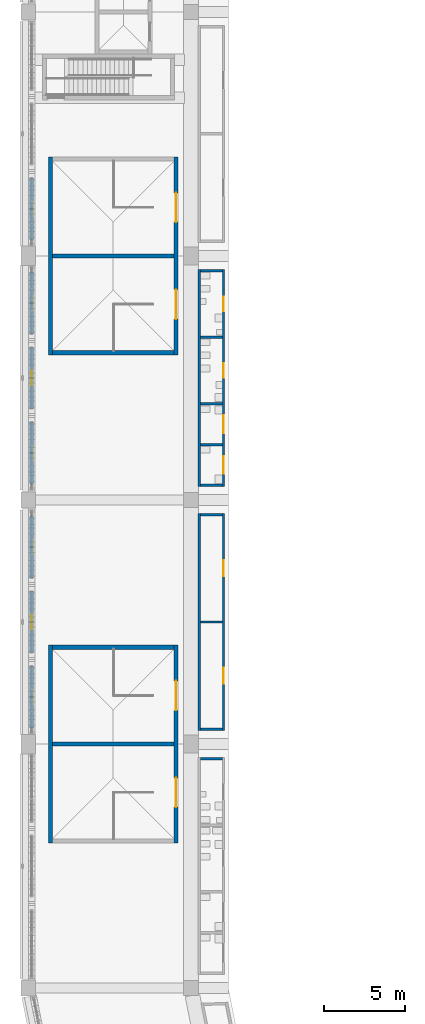
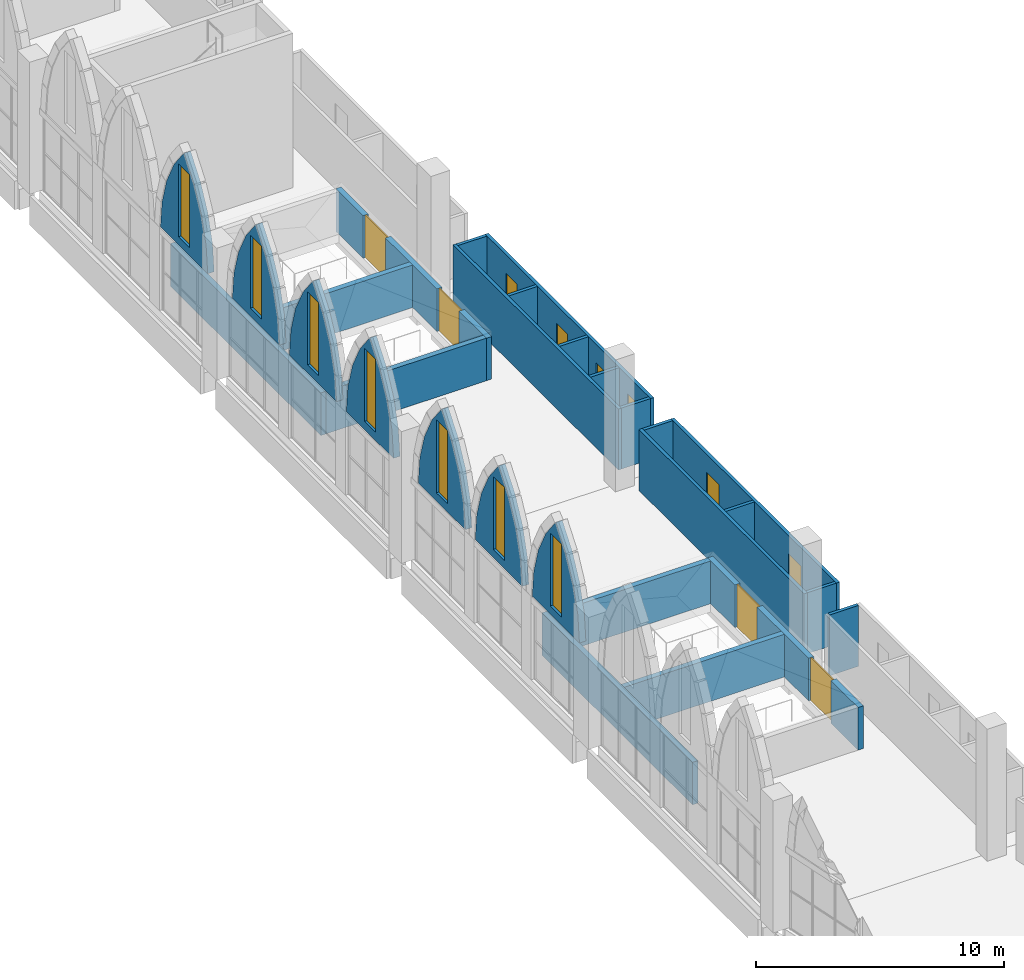
# One storey, part 70 of 130: 28 walls, 10 doors, 7 windows, 17 openings.
"""IFC4 building model written with IfcOpenShell, lengths in metres."""

from ifc_helpers import new_model, si_unit, direction, frame, frame_2d, origin, place, context, subcontext, project, spatial, polyline, rectangle, outline, extrude, material, layer, layer_set, type_object, element, fill, save


model = new_model("IFC4")

# Units and contexts
model_context = context("Model", 3, precision=1e-05, world=origin(), true_north=direction((0.0, 1.0)))
body_context = subcontext(model_context, "Body", "Model", "MODEL_VIEW")
ifc_project = project(units=[si_unit("LENGTHUNIT", "METRE"), si_unit("AREAUNIT", "SQUARE_METRE"), si_unit("VOLUMEUNIT", "CUBIC_METRE"), si_unit("PLANEANGLEUNIT", "RADIAN"), si_unit("MASSUNIT", "GRAM", prefix="KILO")], contexts=[model_context])

# Site, building, storey
site_placement = place(None, origin())
site = spatial("IfcSite", under=ifc_project, at=site_placement, CompositionType="ELEMENT")
building_placement = place(site_placement, origin())
building = spatial("IfcBuilding", under=site, at=building_placement, Name="Ogive Plaza Stadium", CompositionType="ELEMENT")
storey_placement = place(building_placement, frame((0.0, 0.0, 22.5)))
storey = spatial("IfcBuildingStorey", under=building, at=storey_placement, Name="L05", CompositionType="ELEMENT", Elevation=22.5)

# Wall, openings, doors
ifc_material_1 = material(Name="Masonry blockwork", Category="masonry")
ifc_layer_1 = layer(ifc_material_1, 0.14990234375)
ifc_layer_set_1 = layer_set([ifc_layer_1], Name="Blockwork wall 150")
wall_type_1 = type_object("IfcWallType", Name="Blockwork wall 150", PredefinedType="SOLIDWALL", material=ifc_layer_set_1)
wall_1_placement = place(storey_placement, frame((-72.0, -36.675048828125, 0.0), z_axis=(0.0, 0.0, 1.0), x_axis=(0.0, 1.0, 0.0)))
wall_1 = element("IfcWall", 1, at=wall_1_placement, inside=storey, type_object=wall_type_1, Name="Wall L05 B22", PredefinedType="SOLIDWALL", context=body_context, shape_type="SweptSolid", body=[
    extrude(rectangle(XDim=13.35009765625, YDim=0.14990234375, at=frame_2d((6.675048828125, 0.0))), origin(), (0.0, 0.0, 1.0), 3.0),
])
opening_1_placement = place(wall_1_placement, frame((2.875, 0.0, 0.0)))
opening_1 = element("IfcOpeningElement", 2, at=opening_1_placement, cuts=wall_1, Name="Opening D0981", PredefinedType="OPENING", context=body_context, shape_type="SweptSolid", body=[
    extrude(rectangle(XDim=1.0, YDim=2.10009765625, at=frame_2d((0.5, 1.050048828125))), frame((0.0, 0.074951171875, 0.0), z_axis=(0.0, -1.0, 0.0), x_axis=(1.0, 0.0, 0.0)), (0.0, 0.0, 1.0), 0.14990234375),
])
opening_2_placement = place(wall_1_placement, frame((9.47509765625, 0.0, 0.0)))
opening_2 = element("IfcOpeningElement", 3, at=opening_2_placement, cuts=wall_1, Name="Opening D0982", PredefinedType="OPENING", context=body_context, shape_type="SweptSolid", body=[
    extrude(rectangle(XDim=1.0, YDim=2.10009765625, at=frame_2d((0.5, 1.050048828125))), frame((0.0, 0.074951171875, 0.0), z_axis=(0.0, -1.0, 0.0), x_axis=(1.0, 0.0, 0.0)), (0.0, 0.0, 1.0), 0.14990234375),
])
ifc_material_2 = material(Name="Steel ASTM A572 Grade 50", Category="steel")
door_type_1 = type_object("IfcDoorType", Name="Door 1000 x 2100", OperationType="SINGLE_SWING_LEFT", PredefinedType="DOOR", material=ifc_material_2)
door_1_placement = place(opening_1_placement, origin())
door_1 = element("IfcDoor", 4, at=door_1_placement, inside=storey, type_object=door_type_1, Name="Concession Stand B22 door", OperationType="SINGLE_SWING_LEFT", OverallHeight=2.10009765625, OverallWidth=1.0, PredefinedType="DOOR", context=body_context, shape_type="SweptSolid", body=[
    extrude(rectangle(XDim=1.0, YDim=2.10009765625, at=frame_2d((0.5, 1.050048828125))), frame((0.0, 0.02490234375, 0.0), z_axis=(0.0, -1.0, 0.0), x_axis=(1.0, 0.0, 0.0)), (0.0, 0.0, 1.0), 0.050048828125),
])
fill(opening_1, door_1)
door_2_placement = place(opening_2_placement, origin())
door_2 = element("IfcDoor", 5, at=door_2_placement, inside=storey, type_object=door_type_1, Name="Concession Stand B22 door", OperationType="SINGLE_SWING_RIGHT", OverallHeight=2.10009765625, OverallWidth=1.0, PredefinedType="DOOR", context=body_context, shape_type="SweptSolid", body=[
    extrude(rectangle(XDim=1.0, YDim=2.10009765625, at=frame_2d((0.5, 1.050048828125))), frame((0.0, 0.02490234375, 0.0), z_axis=(0.0, -1.0, 0.0), x_axis=(1.0, 0.0, 0.0)), (0.0, 0.0, 1.0), 0.050048828125),
])
fill(opening_2, door_2)

# Walls
wall_2_placement = place(storey_placement, frame((-73.5, -36.675048828125, 0.0), z_axis=(0.0, 0.0, 1.0), x_axis=(0.0, 1.0, 0.0)))
element("IfcWall", 6, at=wall_2_placement, inside=storey, type_object=wall_type_1, Name="Wall L05 B22", PredefinedType="SOLIDWALL", context=body_context, shape_type="SweptSolid", body=[
    extrude(rectangle(XDim=13.35009765625, YDim=0.14990234375, at=frame_2d((6.675048828125, 0.0))), origin(), (0.0, 0.0, 1.0), 3.0),
])
for number, where, z_axis, x_axis, name in (
    (7, (-72.074951171875, -36.60009765625, 0.0), (0.0, 0.0, 1.0), (-1.0, 0.0, 0.0), "Wall L05 B22"),
    (8, (-72.074951171875, -30.0, 0.0), (0.0, 0.0, 1.0), (-1.0, 0.0, 0.0), "Wall L05 B22"),
    (9, (-72.074951171875, -23.39990234375, 0.0), (0.0, 0.0, 1.0), (-1.0, 0.0, 0.0), "Wall L05 B22"),
):
    element("IfcWall", number, at=place(storey_placement, frame(where, z_axis=z_axis, x_axis=x_axis)), inside=storey, type_object=wall_type_1, Name=name, PredefinedType="SOLIDWALL", context=body_context, shape_type="SweptSolid", body=[
        extrude(rectangle(XDim=1.35009765625, YDim=0.14990234375, at=frame_2d((0.675048828125, 0.0))), origin(), (0.0, 0.0, 1.0), 3.0),
    ])

# Wall, openings, doors
ifc_material_3 = material(Name="Concrete C40/50", Category="concrete")
ifc_layer_2 = layer(ifc_material_3, 0.25)
ifc_layer_set_2 = layer_set([ifc_layer_2], Name="Concrete C40/50")
wall_type_2 = type_object("IfcWallType", Name="Core wall 250", PredefinedType="SHEAR", material=ifc_layer_set_2)
wall_3_placement = place(storey_placement, frame((-74.925048828125, -31.425048828125, 0.0), z_axis=(0.0, 0.0, 1.0), x_axis=(0.0, -1.0, 0.0)))
wall_3 = element("IfcWall", 10, at=wall_3_placement, inside=storey, type_object=wall_type_2, Name="Stair core R22 inner wall", PredefinedType="SHEAR", context=body_context, shape_type="SweptSolid", body=[
    extrude(rectangle(XDim=12.14990234375, YDim=0.25, at=frame_2d((6.074951171875, 0.0))), origin(), (0.0, 0.0, 1.0), 2.10009765625),
])
opening_3_placement = place(wall_3_placement, frame((2.199951171875, 0.0, 0.0)))
opening_3 = element("IfcOpeningElement", 11, at=opening_3_placement, cuts=wall_3, Name="Opening D0181", PredefinedType="OPENING", context=body_context, shape_type="SweptSolid", body=[
    extrude(rectangle(XDim=1.800048828125, YDim=2.10009765625, at=frame_2d((0.89990234375, 1.050048828125))), frame((0.0, 0.125, 0.0), z_axis=(0.0, -1.0, 0.0), x_axis=(1.0, 0.0, 0.0)), (0.0, 0.0, 1.0), 0.25),
])
opening_4_placement = place(wall_3_placement, frame((8.14990234375, 0.0, 0.0)))
opening_4 = element("IfcOpeningElement", 12, at=opening_4_placement, cuts=wall_3, Name="Opening D0182", PredefinedType="OPENING", context=body_context, shape_type="SweptSolid", body=[
    extrude(rectangle(XDim=1.800048828125, YDim=2.10009765625, at=frame_2d((0.89990234375, 1.050048828125))), frame((0.0, 0.125, 0.0), z_axis=(0.0, -1.0, 0.0), x_axis=(1.0, 0.0, 0.0)), (0.0, 0.0, 1.0), 0.25),
])
ifc_material_4 = material(Name="Steel ASTM A572 Grade 50", Category="steel")
door_type_2 = type_object("IfcDoorType", Name="Fire door FD90 pair 1800 x 2100", OperationType="DOUBLE_DOOR_SINGLE_SWING", PredefinedType="DOOR", material=ifc_material_4)
door_3_placement = place(opening_3_placement, origin())
door_3 = element("IfcDoor", 13, at=door_3_placement, inside=storey, type_object=door_type_2, Name="Exit stair R22A door L05", OperationType="DOUBLE_DOOR_SINGLE_SWING", OverallHeight=2.10009765625, OverallWidth=1.800048828125, PredefinedType="DOOR", context=body_context, shape_type="SweptSolid", body=[
    extrude(rectangle(XDim=1.800048828125, YDim=2.10009765625, at=frame_2d((0.89990234375, 1.050048828125))), frame((0.0, 0.02490234375, 0.0), z_axis=(0.0, -1.0, 0.0), x_axis=(1.0, 0.0, 0.0)), (0.0, 0.0, 1.0), 0.050048828125),
])
fill(opening_3, door_3)
door_4_placement = place(opening_4_placement, origin())
door_4 = element("IfcDoor", 14, at=door_4_placement, inside=storey, type_object=door_type_2, Name="Exit stair R22B door L05", OperationType="DOUBLE_DOOR_SINGLE_SWING", OverallHeight=2.10009765625, OverallWidth=1.800048828125, PredefinedType="DOOR", context=body_context, shape_type="SweptSolid", body=[
    extrude(rectangle(XDim=1.800048828125, YDim=2.10009765625, at=frame_2d((0.89990234375, 1.050048828125))), frame((0.0, 0.02490234375, 0.0), z_axis=(0.0, -1.0, 0.0), x_axis=(1.0, 0.0, 0.0)), (0.0, 0.0, 1.0), 0.050048828125),
])
fill(opening_4, door_4)

# Walls
wall_4_placement = place(storey_placement, frame((-82.635009765625, -31.425048828125, 0.0), z_axis=(0.0, 0.0, 1.0), x_axis=(0.0, -1.0, 0.0)))
element("IfcWall", 15, at=wall_4_placement, inside=storey, type_object=wall_type_2, Name="Stair core R22 outer wall", PredefinedType="SHEAR", context=body_context, shape_type="SweptSolid", body=[
    extrude(rectangle(XDim=12.14990234375, YDim=0.25, at=frame_2d((6.074951171875, 0.0))), origin(), (0.0, 0.0, 1.0), 2.10009765625),
])
for number, where, z_axis, x_axis, name in (
    (16, (-75.050048828125, -31.550048828125, 0.0), (0.0, 0.0, 1.0), (-1.0, 0.0, 0.0), "Stair core R22 side wall"),
    (17, (-75.050048828125, -37.5, 0.0), (0.0, 0.0, 1.0), (-1.0, 0.0, 0.0), "Stair core R22 centre wall"),
):
    element("IfcWall", number, at=place(storey_placement, frame(where, z_axis=z_axis, x_axis=x_axis)), inside=storey, type_object=wall_type_2, Name=name, PredefinedType="SHEAR", context=body_context, shape_type="SweptSolid", body=[
        extrude(rectangle(XDim=7.4599609375, YDim=0.25, at=frame_2d((3.72998046875, 0.0))), origin(), (0.0, 0.0, 1.0), 2.10009765625),
    ])

# Wall, openings, doors
wall_5_placement = place(storey_placement, frame((-74.925048828125, -1.425048828125, 0.0), z_axis=(0.0, 0.0, 1.0), x_axis=(0.0, -1.0, 0.0)))
wall_5 = element("IfcWall", 18, at=wall_5_placement, inside=storey, type_object=wall_type_2, Name="Stair core R24 inner wall", PredefinedType="SHEAR", context=body_context, shape_type="SweptSolid", body=[
    extrude(rectangle(XDim=12.14990234375, YDim=0.25, at=frame_2d((6.074951171875, 0.0))), origin(), (0.0, 0.0, 1.0), 2.10009765625),
])
opening_5_placement = place(wall_5_placement, frame((2.199951171875, 0.0, 0.0)))
opening_5 = element("IfcOpeningElement", 19, at=opening_5_placement, cuts=wall_5, Name="Opening D0193", PredefinedType="OPENING", context=body_context, shape_type="SweptSolid", body=[
    extrude(rectangle(XDim=1.800048828125, YDim=2.10009765625, at=frame_2d((0.89990234375, 1.050048828125))), frame((0.0, 0.125, 0.0), z_axis=(0.0, -1.0, 0.0), x_axis=(1.0, 0.0, 0.0)), (0.0, 0.0, 1.0), 0.25),
])
opening_6_placement = place(wall_5_placement, frame((8.14990234375, 0.0, 0.0)))
opening_6 = element("IfcOpeningElement", 20, at=opening_6_placement, cuts=wall_5, Name="Opening D0194", PredefinedType="OPENING", context=body_context, shape_type="SweptSolid", body=[
    extrude(rectangle(XDim=1.800048828125, YDim=2.10009765625, at=frame_2d((0.89990234375, 1.050048828125))), frame((0.0, 0.125, 0.0), z_axis=(0.0, -1.0, 0.0), x_axis=(1.0, 0.0, 0.0)), (0.0, 0.0, 1.0), 0.25),
])
door_5_placement = place(opening_5_placement, origin())
door_5 = element("IfcDoor", 21, at=door_5_placement, inside=storey, type_object=door_type_2, Name="Exit stair R24A door L05", OperationType="DOUBLE_DOOR_SINGLE_SWING", OverallHeight=2.10009765625, OverallWidth=1.800048828125, PredefinedType="DOOR", context=body_context, shape_type="SweptSolid", body=[
    extrude(rectangle(XDim=1.800048828125, YDim=2.10009765625, at=frame_2d((0.89990234375, 1.050048828125))), frame((0.0, 0.02490234375, 0.0), z_axis=(0.0, -1.0, 0.0), x_axis=(1.0, 0.0, 0.0)), (0.0, 0.0, 1.0), 0.050048828125),
])
fill(opening_5, door_5)
door_6_placement = place(opening_6_placement, origin())
door_6 = element("IfcDoor", 22, at=door_6_placement, inside=storey, type_object=door_type_2, Name="Exit stair R24B door L05", OperationType="DOUBLE_DOOR_SINGLE_SWING", OverallHeight=2.10009765625, OverallWidth=1.800048828125, PredefinedType="DOOR", context=body_context, shape_type="SweptSolid", body=[
    extrude(rectangle(XDim=1.800048828125, YDim=2.10009765625, at=frame_2d((0.89990234375, 1.050048828125))), frame((0.0, 0.02490234375, 0.0), z_axis=(0.0, -1.0, 0.0), x_axis=(1.0, 0.0, 0.0)), (0.0, 0.0, 1.0), 0.050048828125),
])
fill(opening_6, door_6)

# Walls
wall_6_placement = place(storey_placement, frame((-82.635009765625, -1.425048828125, 0.0), z_axis=(0.0, 0.0, 1.0), x_axis=(0.0, -1.0, 0.0)))
element("IfcWall", 23, at=wall_6_placement, inside=storey, type_object=wall_type_2, Name="Stair core R24 outer wall", PredefinedType="SHEAR", context=body_context, shape_type="SweptSolid", body=[
    extrude(rectangle(XDim=12.14990234375, YDim=0.25, at=frame_2d((6.074951171875, 0.0))), origin(), (0.0, 0.0, 1.0), 2.10009765625),
])
for number, where, z_axis, x_axis, name in (
    (24, (-75.050048828125, -13.449951171875, 0.0), (0.0, 0.0, 1.0), (-1.0, 0.0, 0.0), "Stair core R24 side wall"),
    (25, (-75.050048828125, -7.5, 0.0), (0.0, 0.0, 1.0), (-1.0, 0.0, 0.0), "Stair core R24 centre wall"),
):
    element("IfcWall", number, at=place(storey_placement, frame(where, z_axis=z_axis, x_axis=x_axis)), inside=storey, type_object=wall_type_2, Name=name, PredefinedType="SHEAR", context=body_context, shape_type="SweptSolid", body=[
        extrude(rectangle(XDim=7.4599609375, YDim=0.25, at=frame_2d((3.72998046875, 0.0))), origin(), (0.0, 0.0, 1.0), 2.10009765625),
    ])
ifc_material_5 = material(Name="Gypsum board partition", Category="gypsum")
ifc_layer_3 = layer(ifc_material_5, 0.14990234375)
ifc_layer_set_3 = layer_set([ifc_layer_3], Name="Partition 150")
wall_type_3 = type_object("IfcWallType", Name="Partition 150", PredefinedType="PARTITIONING", material=ifc_layer_set_3)
wall_7_placement = place(storey_placement, frame((-72.074951171875, -38.39990234375, 0.0), z_axis=(0.0, 0.0, 1.0), x_axis=(-1.0, 0.0, 0.0)))
element("IfcWall", 26, at=wall_7_placement, inside=storey, type_object=wall_type_3, Name="Wall L05 B21", PredefinedType="PARTITIONING", context=body_context, shape_type="SweptSolid", body=[
    extrude(rectangle(XDim=1.35009765625, YDim=0.14990234375, at=frame_2d((0.675048828125, 0.0))), origin(), (0.0, 0.0, 1.0), 3.0),
])

# Wall, openings, doors
wall_8_placement = place(storey_placement, frame((-72.0, -8.324951171875, 0.0), z_axis=(0.0, 0.0, 1.0), x_axis=(0.0, -1.0, 0.0)))
wall_8 = element("IfcWall", 27, at=wall_8_placement, inside=storey, type_object=wall_type_3, Name="Wall L05 B23", PredefinedType="PARTITIONING", context=body_context, shape_type="SweptSolid", body=[
    extrude(rectangle(XDim=13.35009765625, YDim=0.14990234375, at=frame_2d((6.675048828125, 0.0))), origin(), (0.0, 0.0, 1.0), 3.0),
])
opening_7_placement = place(wall_8_placement, frame((1.6708984375, 0.0, 0.0)))
opening_7 = element("IfcOpeningElement", 28, at=opening_7_placement, cuts=wall_8, Name="Opening D0983", PredefinedType="OPENING", context=body_context, shape_type="SweptSolid", body=[
    extrude(rectangle(XDim=0.89990234375, YDim=2.10009765625, at=frame_2d((0.449951171875, 1.050048828125))), frame((0.0, 0.074951171875, 0.0), z_axis=(0.0, -1.0, 0.0), x_axis=(1.0, 0.0, 0.0)), (0.0, 0.0, 1.0), 0.14990234375),
])
opening_8_placement = place(wall_8_placement, frame((5.762939453125, 0.0, 0.0)))
opening_8 = element("IfcOpeningElement", 29, at=opening_8_placement, cuts=wall_8, Name="Opening D0984", PredefinedType="OPENING", context=body_context, shape_type="SweptSolid", body=[
    extrude(rectangle(XDim=0.89990234375, YDim=2.10009765625, at=frame_2d((0.449951171875, 1.050048828125))), frame((0.0, 0.074951171875, 0.0), z_axis=(0.0, -1.0, 0.0), x_axis=(1.0, 0.0, 0.0)), (0.0, 0.0, 1.0), 0.14990234375),
])
opening_9_placement = place(wall_8_placement, frame((8.962890625, 0.0, 0.0)))
opening_9 = element("IfcOpeningElement", 30, at=opening_9_placement, cuts=wall_8, Name="Opening D0985", PredefinedType="OPENING", context=body_context, shape_type="SweptSolid", body=[
    extrude(rectangle(XDim=1.10009765625, YDim=2.10009765625, at=frame_2d((0.550048828125, 1.050048828125))), frame((0.0, 0.074951171875, 0.0), z_axis=(0.0, -1.0, 0.0), x_axis=(1.0, 0.0, 0.0)), (0.0, 0.0, 1.0), 0.14990234375),
])
opening_10_placement = place(wall_8_placement, frame((11.470947265625, 0.0, 0.0)))
opening_10 = element("IfcOpeningElement", 31, at=opening_10_placement, cuts=wall_8, Name="Opening D0986", PredefinedType="OPENING", context=body_context, shape_type="SweptSolid", body=[
    extrude(rectangle(XDim=1.10009765625, YDim=2.10009765625, at=frame_2d((0.550048828125, 1.050048828125))), frame((0.0, 0.074951171875, 0.0), z_axis=(0.0, -1.0, 0.0), x_axis=(1.0, 0.0, 0.0)), (0.0, 0.0, 1.0), 0.14990234375),
])
ifc_material_6 = material(Name="Steel ASTM A572 Grade 50", Category="steel")
door_type_3 = type_object("IfcDoorType", Name="Accessible door 1100 x 2100", OperationType="SINGLE_SWING_LEFT", PredefinedType="DOOR", material=ifc_material_6)
door_7_placement = place(opening_9_placement, origin())
door_7 = element("IfcDoor", 32, at=door_7_placement, inside=storey, type_object=door_type_3, Name="Accessible WC B23 door", OperationType="SINGLE_SWING_RIGHT", OverallHeight=2.10009765625, OverallWidth=1.10009765625, PredefinedType="DOOR", context=body_context, shape_type="SweptSolid", body=[
    extrude(rectangle(XDim=1.10009765625, YDim=2.10009765625, at=frame_2d((0.550048828125, 1.050048828125))), frame((0.0, 0.02490234375, 0.0), z_axis=(0.0, -1.0, 0.0), x_axis=(1.0, 0.0, 0.0)), (0.0, 0.0, 1.0), 0.050048828125),
])
fill(opening_9, door_7)
door_8_placement = place(opening_10_placement, origin())
door_8 = element("IfcDoor", 33, at=door_8_placement, inside=storey, type_object=door_type_3, Name="Family WC B23 door", OperationType="SINGLE_SWING_LEFT", OverallHeight=2.10009765625, OverallWidth=1.10009765625, PredefinedType="DOOR", context=body_context, shape_type="SweptSolid", body=[
    extrude(rectangle(XDim=1.10009765625, YDim=2.10009765625, at=frame_2d((0.550048828125, 1.050048828125))), frame((0.0, 0.02490234375, 0.0), z_axis=(0.0, -1.0, 0.0), x_axis=(1.0, 0.0, 0.0)), (0.0, 0.0, 1.0), 0.050048828125),
])
fill(opening_10, door_8)
ifc_material_7 = material(Name="Steel ASTM A572 Grade 50", Category="steel")
door_type_4 = type_object("IfcDoorType", Name="Door 900 x 2100", OperationType="SINGLE_SWING_LEFT", PredefinedType="DOOR", material=ifc_material_7)
door_9_placement = place(opening_7_placement, origin())
door_9 = element("IfcDoor", 34, at=door_9_placement, inside=storey, type_object=door_type_4, Name="Men's Toilet B23 door", OperationType="SINGLE_SWING_RIGHT", OverallHeight=2.10009765625, OverallWidth=0.89990234375, PredefinedType="DOOR", context=body_context, shape_type="SweptSolid", body=[
    extrude(rectangle(XDim=0.89990234375, YDim=2.10009765625, at=frame_2d((0.449951171875, 1.050048828125))), frame((0.0, 0.02490234375, 0.0), z_axis=(0.0, -1.0, 0.0), x_axis=(1.0, 0.0, 0.0)), (0.0, 0.0, 1.0), 0.050048828125),
])
fill(opening_7, door_9)
door_10_placement = place(opening_8_placement, origin())
door_10 = element("IfcDoor", 35, at=door_10_placement, inside=storey, type_object=door_type_4, Name="Women's Toilet B23 door", OperationType="SINGLE_SWING_LEFT", OverallHeight=2.10009765625, OverallWidth=0.89990234375, PredefinedType="DOOR", context=body_context, shape_type="SweptSolid", body=[
    extrude(rectangle(XDim=0.89990234375, YDim=2.10009765625, at=frame_2d((0.449951171875, 1.050048828125))), frame((0.0, 0.02490234375, 0.0), z_axis=(0.0, -1.0, 0.0), x_axis=(1.0, 0.0, 0.0)), (0.0, 0.0, 1.0), 0.050048828125),
])
fill(opening_8, door_10)

# Walls
wall_9_placement = place(storey_placement, frame((-73.5, -8.324951171875, 0.0), z_axis=(0.0, 0.0, 1.0), x_axis=(0.0, -1.0, 0.0)))
element("IfcWall", 36, at=wall_9_placement, inside=storey, type_object=wall_type_3, Name="Wall L05 B23", PredefinedType="PARTITIONING", context=body_context, shape_type="SweptSolid", body=[
    extrude(rectangle(XDim=13.35009765625, YDim=0.14990234375, at=frame_2d((6.675048828125, 0.0))), origin(), (0.0, 0.0, 1.0), 3.0),
])
for number, where, z_axis, x_axis, name in (
    (37, (-72.074951171875, -8.39990234375, 0.0), (0.0, 0.0, 1.0), (-1.0, 0.0, 0.0), "Wall L05 B23"),
    (38, (-72.074951171875, -12.491943359375, 0.0), (0.0, 0.0, 1.0), (-1.0, 0.0, 0.0), "Wall L05 B23"),
    (39, (-72.074951171875, -16.583984375, 0.0), (0.0, 0.0, 1.0), (-1.0, 0.0, 0.0), "Wall L05 B23"),
    (40, (-72.074951171875, -19.092041015625, 0.0), (0.0, 0.0, 1.0), (-1.0, 0.0, 0.0), "Wall L05 B23"),
    (41, (-72.074951171875, -21.60009765625, 0.0), (0.0, 0.0, 1.0), (-1.0, 0.0, 0.0), "Wall L05 B23"),
):
    element("IfcWall", number, at=place(storey_placement, frame(where, z_axis=z_axis, x_axis=x_axis)), inside=storey, type_object=wall_type_3, Name=name, PredefinedType="PARTITIONING", context=body_context, shape_type="SweptSolid", body=[
        extrude(rectangle(XDim=1.35009765625, YDim=0.14990234375, at=frame_2d((0.675048828125, 0.0))), origin(), (0.0, 0.0, 1.0), 3.0),
    ])

# Wall, opening, window
ifc_material_8 = material(Name="Concrete C45/55 precast", Category="concrete")
ifc_layer_4 = layer(ifc_material_8, 0.25)
ifc_material_9 = material(Name="Cast stone (reconstituted limestone)", Category="masonry")
ifc_layer_5 = layer(ifc_material_9, 0.050048828125)
ifc_layer_set_4 = layer_set([ifc_layer_4, ifc_layer_5], Name="Concrete C45/55 precast, cast stone facing")
wall_type_4 = type_object("IfcWallType", Name="Tympanum wall 300", PredefinedType="SOLIDWALL", material=ifc_layer_set_4)
wall_10_placement = place(storey_placement, frame((-83.800048828125, -36.5, 4.10009765625), z_axis=(0.0, 0.0, 1.0), x_axis=(0.0, 1.0, 0.0)))
wall_10 = element("IfcWall", 42, at=wall_10_placement, inside=storey, type_object=wall_type_4, Name="TYMPANUM B22 1", PredefinedType="SOLIDWALL", context=body_context, shape_type="SweptSolid", body=[
    extrude(outline(polyline([(0.0, 0.0), (3.800048828125, 0.0), (3.800048828125, 0.0498046875), (3.67578125, 1.313720703125), (3.3076171875, 2.5810546875), (2.708740234375, 3.757080078125), (1.89990234375, 4.7998046875), (1.09130859375, 3.757080078125), (0.4921875, 2.5810546875), (0.124267578125, 1.313720703125), (0.0, 0.0498046875), (0.0, 0.0)])), frame((0.0, 0.14990234375, 0.0), z_axis=(0.0, -1.0, 0.0), x_axis=(1.0, 0.0, 0.0)), (0.0, 0.0, 1.0), 0.300048828125),
])
opening_11_placement = place(wall_10_placement, frame((1.449951171875, 0.0, 0.39990234375)))
opening_11 = element("IfcOpeningElement", 43, at=opening_11_placement, cuts=wall_10, Name="Opening W-22-1", PredefinedType="OPENING", context=body_context, shape_type="SweptSolid", body=[
    extrude(rectangle(XDim=0.89990234375, YDim=3.60009765625, at=frame_2d((0.449951171875, 1.800048828125))), frame((0.0, 0.16015625, 0.0), z_axis=(0.0, -1.0, 0.0), x_axis=(1.0, 0.0, 0.0)), (0.0, 0.0, 1.0), 0.320068359375),
])
ifc_material_10 = material(Name="Bronze-anodised aluminium and laminated glass", Category="aluminium")
window_type = type_object("IfcWindowType", Name="Lancet window 900 x 3600", PartitioningType="SINGLE_PANEL", PredefinedType="WINDOW", material=ifc_material_10)
window_1_placement = place(opening_11_placement, origin())
window_1 = element("IfcWindow", 44, at=window_1_placement, inside=storey, type_object=window_type, Name="LANCET WINDOW B22 1", OverallHeight=3.60009765625, OverallWidth=0.89990234375, PartitioningType="SINGLE_PANEL", PredefinedType="WINDOW", context=body_context, shape_type="SweptSolid", body=[
    extrude(rectangle(XDim=0.89990234375, YDim=3.60009765625, at=frame_2d((0.449951171875, 1.800048828125))), frame((0.0, 0.030029296875, 0.0), z_axis=(0.0, -1.0, 0.0), x_axis=(1.0, 0.0, 0.0)), (0.0, 0.0, 1.0), 0.06005859375),
])
fill(opening_11, window_1)

wall_11_placement = place(storey_placement, frame((-83.800048828125, -31.89990234375, 4.10009765625), z_axis=(0.0, 0.0, 1.0), x_axis=(0.0, 1.0, 0.0)))
wall_11 = element("IfcWall", 45, at=wall_11_placement, inside=storey, type_object=wall_type_4, Name="TYMPANUM B22 2", PredefinedType="SOLIDWALL", context=body_context, shape_type="SweptSolid", body=[
    extrude(outline(polyline([(0.0, 0.0), (3.7998046875, 0.0), (3.800048828125, 0.0498046875), (3.67578125, 1.313720703125), (3.3076171875, 2.5810546875), (2.708740234375, 3.757080078125), (1.89990234375, 4.7998046875), (1.09130859375, 3.757080078125), (0.4921875, 2.5810546875), (0.124267578125, 1.313720703125), (0.0, 0.0498046875), (0.0, 0.0)])), frame((0.0, 0.14990234375, 0.0), z_axis=(0.0, -1.0, 0.0), x_axis=(1.0, 0.0, 0.0)), (0.0, 0.0, 1.0), 0.300048828125),
])
opening_12_placement = place(wall_11_placement, frame((1.449951171875, 0.0, 0.39990234375)))
opening_12 = element("IfcOpeningElement", 46, at=opening_12_placement, cuts=wall_11, Name="Opening W-22-2", PredefinedType="OPENING", context=body_context, shape_type="SweptSolid", body=[
    extrude(rectangle(XDim=0.89990234375, YDim=3.60009765625, at=frame_2d((0.449951171875, 1.800048828125))), frame((0.0, 0.16015625, 0.0), z_axis=(0.0, -1.0, 0.0), x_axis=(1.0, 0.0, 0.0)), (0.0, 0.0, 1.0), 0.320068359375),
])
window_2_placement = place(opening_12_placement, origin())
window_2 = element("IfcWindow", 47, at=window_2_placement, inside=storey, type_object=window_type, Name="LANCET WINDOW B22 2", OverallHeight=3.60009765625, OverallWidth=0.89990234375, PartitioningType="SINGLE_PANEL", PredefinedType="WINDOW", context=body_context, shape_type="SweptSolid", body=[
    extrude(rectangle(XDim=0.89990234375, YDim=3.60009765625, at=frame_2d((0.449951171875, 1.800048828125))), frame((0.0, 0.030029296875, 0.0), z_axis=(0.0, -1.0, 0.0), x_axis=(1.0, 0.0, 0.0)), (0.0, 0.0, 1.0), 0.06005859375),
])
fill(opening_12, window_2)

wall_12_placement = place(storey_placement, frame((-83.800048828125, -27.300048828125, 4.10009765625), z_axis=(0.0, 0.0, 1.0), x_axis=(0.0, 1.0, 0.0)))
wall_12 = element("IfcWall", 48, at=wall_12_placement, inside=storey, type_object=wall_type_4, Name="TYMPANUM B22 3", PredefinedType="SOLIDWALL", context=body_context, shape_type="SweptSolid", body=[
    extrude(outline(polyline([(0.0, 0.0), (3.800048828125, 0.0), (3.800048828125, 0.0498046875), (3.67578125, 1.313720703125), (3.3076171875, 2.5810546875), (2.708740234375, 3.757080078125), (1.89990234375, 4.7998046875), (1.09130859375, 3.757080078125), (0.4921875, 2.5810546875), (0.124267578125, 1.313720703125), (0.0, 0.0498046875), (0.0, 0.0)])), frame((0.0, 0.14990234375, 0.0), z_axis=(0.0, -1.0, 0.0), x_axis=(1.0, 0.0, 0.0)), (0.0, 0.0, 1.0), 0.300048828125),
])
opening_13_placement = place(wall_12_placement, frame((1.449951171875, 0.0, 0.39990234375)))
opening_13 = element("IfcOpeningElement", 49, at=opening_13_placement, cuts=wall_12, Name="Opening W-22-3", PredefinedType="OPENING", context=body_context, shape_type="SweptSolid", body=[
    extrude(rectangle(XDim=0.89990234375, YDim=3.60009765625, at=frame_2d((0.449951171875, 1.800048828125))), frame((0.0, 0.16015625, 0.0), z_axis=(0.0, -1.0, 0.0), x_axis=(1.0, 0.0, 0.0)), (0.0, 0.0, 1.0), 0.320068359375),
])
window_3_placement = place(opening_13_placement, origin())
window_3 = element("IfcWindow", 50, at=window_3_placement, inside=storey, type_object=window_type, Name="LANCET WINDOW B22 3", OverallHeight=3.60009765625, OverallWidth=0.89990234375, PartitioningType="SINGLE_PANEL", PredefinedType="WINDOW", context=body_context, shape_type="SweptSolid", body=[
    extrude(rectangle(XDim=0.89990234375, YDim=3.60009765625, at=frame_2d((0.449951171875, 1.800048828125))), frame((0.0, 0.030029296875, 0.0), z_axis=(0.0, -1.0, 0.0), x_axis=(1.0, 0.0, 0.0)), (0.0, 0.0, 1.0), 0.06005859375),
])
fill(opening_13, window_3)

wall_13_placement = place(storey_placement, frame((-83.800048828125, -21.5, 4.10009765625), z_axis=(0.0, 0.0, 1.0), x_axis=(0.0, 1.0, 0.0)))
wall_13 = element("IfcWall", 51, at=wall_13_placement, inside=storey, type_object=wall_type_4, Name="TYMPANUM B23 1", PredefinedType="SOLIDWALL", context=body_context, shape_type="SweptSolid", body=[
    extrude(outline(polyline([(0.0, 0.0), (3.800048828125, 0.0), (3.800048828125, 0.0498046875), (3.67578125, 1.313720703125), (3.3076171875, 2.5810546875), (2.708740234375, 3.757080078125), (1.89990234375, 4.7998046875), (1.09130859375, 3.757080078125), (0.4921875, 2.5810546875), (0.124267578125, 1.313720703125), (0.0, 0.0498046875), (0.0, 0.0)])), frame((0.0, 0.14990234375, 0.0), z_axis=(0.0, -1.0, 0.0), x_axis=(1.0, 0.0, 0.0)), (0.0, 0.0, 1.0), 0.300048828125),
])
opening_14_placement = place(wall_13_placement, frame((1.449951171875, 0.0, 0.39990234375)))
opening_14 = element("IfcOpeningElement", 52, at=opening_14_placement, cuts=wall_13, Name="Opening W-23-1", PredefinedType="OPENING", context=body_context, shape_type="SweptSolid", body=[
    extrude(rectangle(XDim=0.89990234375, YDim=3.60009765625, at=frame_2d((0.449951171875, 1.800048828125))), frame((0.0, 0.16015625, 0.0), z_axis=(0.0, -1.0, 0.0), x_axis=(1.0, 0.0, 0.0)), (0.0, 0.0, 1.0), 0.320068359375),
])
window_4_placement = place(opening_14_placement, origin())
window_4 = element("IfcWindow", 53, at=window_4_placement, inside=storey, type_object=window_type, Name="LANCET WINDOW B23 1", OverallHeight=3.60009765625, OverallWidth=0.89990234375, PartitioningType="SINGLE_PANEL", PredefinedType="WINDOW", context=body_context, shape_type="SweptSolid", body=[
    extrude(rectangle(XDim=0.89990234375, YDim=3.60009765625, at=frame_2d((0.449951171875, 1.800048828125))), frame((0.0, 0.030029296875, 0.0), z_axis=(0.0, -1.0, 0.0), x_axis=(1.0, 0.0, 0.0)), (0.0, 0.0, 1.0), 0.06005859375),
])
fill(opening_14, window_4)

wall_14_placement = place(storey_placement, frame((-83.800048828125, -16.89990234375, 4.10009765625), z_axis=(0.0, 0.0, 1.0), x_axis=(0.0, 1.0, 0.0)))
wall_14 = element("IfcWall", 54, at=wall_14_placement, inside=storey, type_object=wall_type_4, Name="TYMPANUM B23 2", PredefinedType="SOLIDWALL", context=body_context, shape_type="SweptSolid", body=[
    extrude(outline(polyline([(0.0, 0.0), (3.7998046875, 0.0), (3.800048828125, 0.0498046875), (3.67578125, 1.313720703125), (3.3076171875, 2.5810546875), (2.708740234375, 3.757080078125), (1.89990234375, 4.7998046875), (1.09130859375, 3.757080078125), (0.4921875, 2.5810546875), (0.124267578125, 1.313720703125), (0.0, 0.0498046875), (0.0, 0.0)])), frame((0.0, 0.14990234375, 0.0), z_axis=(0.0, -1.0, 0.0), x_axis=(1.0, 0.0, 0.0)), (0.0, 0.0, 1.0), 0.300048828125),
])
opening_15_placement = place(wall_14_placement, frame((1.449951171875, 0.0, 0.39990234375)))
opening_15 = element("IfcOpeningElement", 55, at=opening_15_placement, cuts=wall_14, Name="Opening W-23-2", PredefinedType="OPENING", context=body_context, shape_type="SweptSolid", body=[
    extrude(rectangle(XDim=0.89990234375, YDim=3.60009765625, at=frame_2d((0.449951171875, 1.800048828125))), frame((0.0, 0.16015625, 0.0), z_axis=(0.0, -1.0, 0.0), x_axis=(1.0, 0.0, 0.0)), (0.0, 0.0, 1.0), 0.320068359375),
])
window_5_placement = place(opening_15_placement, origin())
window_5 = element("IfcWindow", 56, at=window_5_placement, inside=storey, type_object=window_type, Name="LANCET WINDOW B23 2", OverallHeight=3.60009765625, OverallWidth=0.89990234375, PartitioningType="SINGLE_PANEL", PredefinedType="WINDOW", context=body_context, shape_type="SweptSolid", body=[
    extrude(rectangle(XDim=0.89990234375, YDim=3.60009765625, at=frame_2d((0.449951171875, 1.800048828125))), frame((0.0, 0.030029296875, 0.0), z_axis=(0.0, -1.0, 0.0), x_axis=(1.0, 0.0, 0.0)), (0.0, 0.0, 1.0), 0.06005859375),
])
fill(opening_15, window_5)

wall_15_placement = place(storey_placement, frame((-83.800048828125, -12.300048828125, 4.10009765625), z_axis=(0.0, 0.0, 1.0), x_axis=(0.0, 1.0, 0.0)))
wall_15 = element("IfcWall", 57, at=wall_15_placement, inside=storey, type_object=wall_type_4, Name="TYMPANUM B23 3", PredefinedType="SOLIDWALL", context=body_context, shape_type="SweptSolid", body=[
    extrude(outline(polyline([(0.0, 0.0), (3.800048828125, 0.0), (3.800048828125, 0.0498046875), (3.67578125, 1.313720703125), (3.3076171875, 2.5810546875), (2.708740234375, 3.757080078125), (1.89990234375, 4.7998046875), (1.09130859375, 3.757080078125), (0.4921875, 2.5810546875), (0.124267578125, 1.313720703125), (0.0, 0.0498046875), (0.0, 0.0)])), frame((0.0, 0.14990234375, 0.0), z_axis=(0.0, -1.0, 0.0), x_axis=(1.0, 0.0, 0.0)), (0.0, 0.0, 1.0), 0.300048828125),
])
opening_16_placement = place(wall_15_placement, frame((1.449951171875, 0.0, 0.39990234375)))
opening_16 = element("IfcOpeningElement", 58, at=opening_16_placement, cuts=wall_15, Name="Opening W-23-3", PredefinedType="OPENING", context=body_context, shape_type="SweptSolid", body=[
    extrude(rectangle(XDim=0.89990234375, YDim=3.60009765625, at=frame_2d((0.449951171875, 1.800048828125))), frame((0.0, 0.16015625, 0.0), z_axis=(0.0, -1.0, 0.0), x_axis=(1.0, 0.0, 0.0)), (0.0, 0.0, 1.0), 0.320068359375),
])
window_6_placement = place(opening_16_placement, origin())
window_6 = element("IfcWindow", 59, at=window_6_placement, inside=storey, type_object=window_type, Name="LANCET WINDOW B23 3", OverallHeight=3.60009765625, OverallWidth=0.89990234375, PartitioningType="SINGLE_PANEL", PredefinedType="WINDOW", context=body_context, shape_type="SweptSolid", body=[
    extrude(rectangle(XDim=0.89990234375, YDim=3.60009765625, at=frame_2d((0.449951171875, 1.800048828125))), frame((0.0, 0.030029296875, 0.0), z_axis=(0.0, -1.0, 0.0), x_axis=(1.0, 0.0, 0.0)), (0.0, 0.0, 1.0), 0.06005859375),
])
fill(opening_16, window_6)

wall_16_placement = place(storey_placement, frame((-83.800048828125, -6.5, 4.10009765625), z_axis=(0.0, 0.0, 1.0), x_axis=(0.0, 1.0, 0.0)))
wall_16 = element("IfcWall", 60, at=wall_16_placement, inside=storey, type_object=wall_type_4, Name="TYMPANUM B24 1", PredefinedType="SOLIDWALL", context=body_context, shape_type="SweptSolid", body=[
    extrude(outline(polyline([(0.0, 0.0), (3.800048828125, 0.0), (3.800048828125, 0.0498046875), (3.67578125, 1.313720703125), (3.3076171875, 2.5810546875), (2.708740234375, 3.757080078125), (1.89990234375, 4.7998046875), (1.09130859375, 3.757080078125), (0.4921875, 2.5810546875), (0.124267578125, 1.313720703125), (0.0, 0.0498046875), (0.0, 0.0)])), frame((0.0, 0.14990234375, 0.0), z_axis=(0.0, -1.0, 0.0), x_axis=(1.0, 0.0, 0.0)), (0.0, 0.0, 1.0), 0.300048828125),
])
opening_17_placement = place(wall_16_placement, frame((1.449951171875, 0.0, 0.39990234375)))
opening_17 = element("IfcOpeningElement", 61, at=opening_17_placement, cuts=wall_16, Name="Opening W-24-1", PredefinedType="OPENING", context=body_context, shape_type="SweptSolid", body=[
    extrude(rectangle(XDim=0.89990234375, YDim=3.60009765625, at=frame_2d((0.449951171875, 1.800048828125))), frame((0.0, 0.16015625, 0.0), z_axis=(0.0, -1.0, 0.0), x_axis=(1.0, 0.0, 0.0)), (0.0, 0.0, 1.0), 0.320068359375),
])
window_7_placement = place(opening_17_placement, origin())
window_7 = element("IfcWindow", 62, at=window_7_placement, inside=storey, type_object=window_type, Name="LANCET WINDOW B24 1", OverallHeight=3.60009765625, OverallWidth=0.89990234375, PartitioningType="SINGLE_PANEL", PredefinedType="WINDOW", context=body_context, shape_type="SweptSolid", body=[
    extrude(rectangle(XDim=0.89990234375, YDim=3.60009765625, at=frame_2d((0.449951171875, 1.800048828125))), frame((0.0, 0.030029296875, 0.0), z_axis=(0.0, -1.0, 0.0), x_axis=(1.0, 0.0, 0.0)), (0.0, 0.0, 1.0), 0.06005859375),
])
fill(opening_17, window_7)

save(model, "model.ifc")
